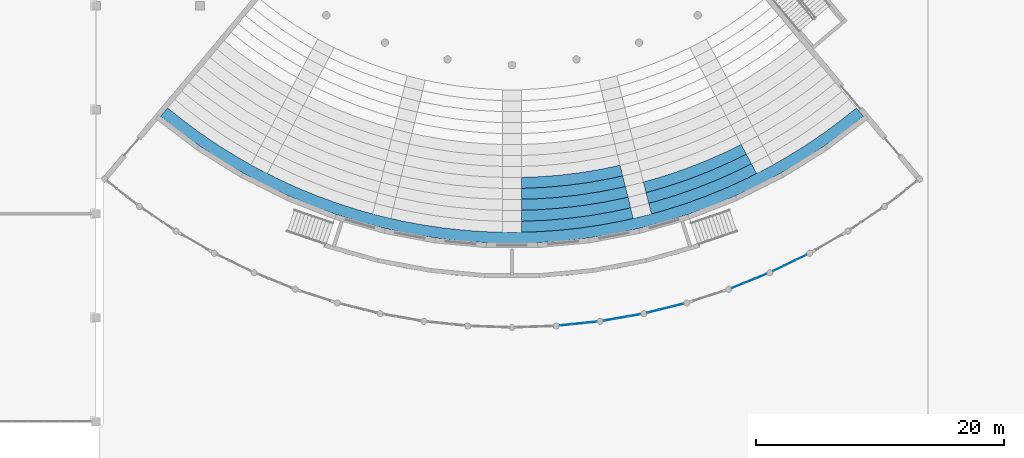
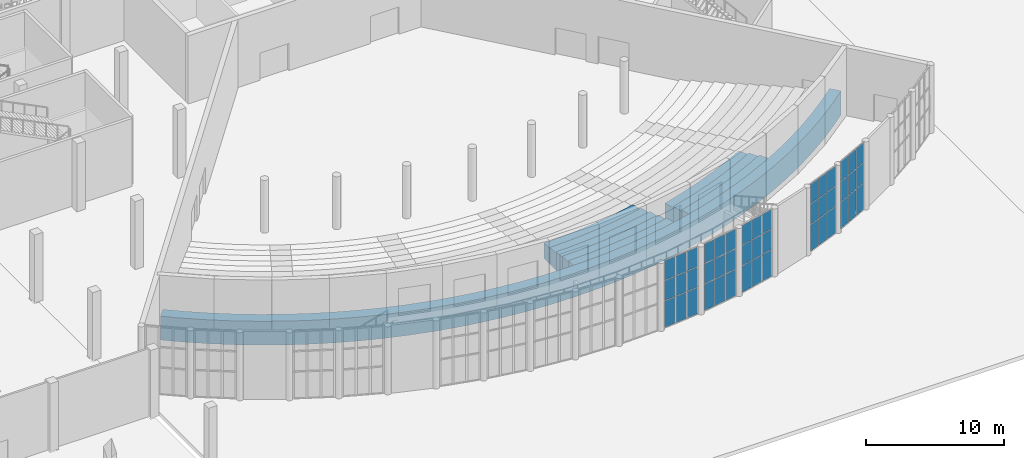
# One storey, part 87 of 210: 45 plates, 9 slabs, 5 elements without a shape of their own.
"""IFC4 building model written with IfcOpenShell, lengths in metres."""

from ifc_helpers import new_model, si_unit, direction, frame, origin, origin_2d, place, context, subcontext, project, spatial, polyline, rectangle, outline, extrude, material, layer, layer_set, type_object, element, aggregate, save


model = new_model("IFC4")

# Units and contexts
model_context = context("Model", 3, precision=1e-05, world=origin(), true_north=direction((0.0, 1.0)))
body_context = subcontext(model_context, "Body", "Model", "MODEL_VIEW")
ifc_project = project(units=[si_unit("LENGTHUNIT", "METRE"), si_unit("AREAUNIT", "SQUARE_METRE"), si_unit("VOLUMEUNIT", "CUBIC_METRE"), si_unit("PLANEANGLEUNIT", "RADIAN"), si_unit("MASSUNIT", "GRAM", prefix="KILO")], contexts=[model_context])

# Site, building, storey
site_placement = place(None, origin())
site = spatial("IfcSite", under=ifc_project, at=site_placement, CompositionType="ELEMENT")
building_placement = place(site_placement, origin())
building = spatial("IfcBuilding", under=site, at=building_placement, Name="Rain Tree Exposition and Congress Centre", CompositionType="ELEMENT")
storey_placement = place(building_placement, origin())
storey = spatial("IfcBuildingStorey", under=building, at=storey_placement, Name="L00", CompositionType="ELEMENT", Elevation=0.0)

# Curtain wall, plates
ifc_material_1 = material(Name="Aluminium", Category="aluminium")
ifc_layer_1 = layer(ifc_material_1, 0.10009765625)
ifc_layer_set_1 = layer_set([ifc_layer_1], Name="Aluminium")
curtain_wall_type = type_object("IfcCurtainWallType", Name="Curtain wall congress", PredefinedType="NOTDEFINED", material=ifc_layer_set_1)
curtain_wall_1_placement = place(storey_placement, origin())
curtain_wall_1 = element("IfcCurtainWall", 1, at=curtain_wall_1_placement, inside=storey, type_object=curtain_wall_type, Name="Curtain wall L00 bay 12", PredefinedType="NOTDEFINED")
ifc_material_2 = material(Name="Double glazed unit", Category="glass")
ifc_layer_2 = layer(ifc_material_2, 0.028076171875)
ifc_layer_set_2 = layer_set([ifc_layer_2], Name="Double glazed unit")
plate_type = type_object("IfcPlateType", Name="Glazing panel 28 congress", PredefinedType="CURTAIN_PANEL", material=ifc_layer_set_2)
plate_1_placement = place(storey_placement, frame((205.944580078125, 16.2060546875, 0.06005859375), z_axis=(0.0, 0.0, 1.0), x_axis=(0.994524689589, 0.104501874612, 0.0)))
plate_1 = element("IfcPlate", 2, at=plate_1_placement, type_object=plate_type, Name="CWG112 panel 1.1", PredefinedType="CURTAIN_PANEL", context=body_context, shape_type="SweptSolid", body=[
    extrude(rectangle(XDim=0.9345703125, YDim=0.028076171875, at=origin_2d()), origin(), (0.0, 0.0, 1.0), 2.31005859375),
])
plate_2_placement = place(storey_placement, frame((205.944580078125, 16.2060546875, 2.43017578125), z_axis=(0.0, 0.0, 1.0), x_axis=(0.994524689589, 0.104501874612, 0.0)))
plate_2 = element("IfcPlate", 3, at=plate_2_placement, type_object=plate_type, Name="CWG112 panel 1.2", PredefinedType="CURTAIN_PANEL", context=body_context, shape_type="SweptSolid", body=[
    extrude(rectangle(XDim=0.9345703125, YDim=0.028076171875, at=origin_2d()), origin(), (0.0, 0.0, 1.0), 1.739990234375),
])
plate_3_placement = place(storey_placement, frame((205.944580078125, 16.2060546875, 4.22998046875), z_axis=(0.0, 0.0, 1.0), x_axis=(0.994524689589, 0.104501874612, 0.0)))
plate_3 = element("IfcPlate", 4, at=plate_3_placement, type_object=plate_type, Name="CWG112 panel 1.3", PredefinedType="CURTAIN_PANEL", context=body_context, shape_type="SweptSolid", body=[
    extrude(rectangle(XDim=0.9345703125, YDim=0.028076171875, at=origin_2d()), origin(), (0.0, 0.0, 1.0), 1.7099609375),
])
plate_4_placement = place(storey_placement, frame((206.948486328125, 16.3115234375, 0.06005859375), z_axis=(0.0, 0.0, 1.0), x_axis=(0.994524689589, 0.104501874612, 0.0)))
plate_4 = element("IfcPlate", 5, at=plate_4_placement, type_object=plate_type, Name="CWG112 panel 2.1", PredefinedType="CURTAIN_PANEL", context=body_context, shape_type="SweptSolid", body=[
    extrude(rectangle(XDim=0.964599609375, YDim=0.028076171875, at=origin_2d()), origin(), (0.0, 0.0, 1.0), 2.31005859375),
])
plate_5_placement = place(storey_placement, frame((206.948486328125, 16.3115234375, 2.43017578125), z_axis=(0.0, 0.0, 1.0), x_axis=(0.994524689589, 0.104501874612, 0.0)))
plate_5 = element("IfcPlate", 6, at=plate_5_placement, type_object=plate_type, Name="CWG112 panel 2.2", PredefinedType="CURTAIN_PANEL", context=body_context, shape_type="SweptSolid", body=[
    extrude(rectangle(XDim=0.964599609375, YDim=0.028076171875, at=origin_2d()), origin(), (0.0, 0.0, 1.0), 1.739990234375),
])
plate_6_placement = place(storey_placement, frame((206.948486328125, 16.3115234375, 4.22998046875), z_axis=(0.0, 0.0, 1.0), x_axis=(0.994524689589, 0.104501874612, 0.0)))
plate_6 = element("IfcPlate", 7, at=plate_6_placement, type_object=plate_type, Name="CWG112 panel 2.3", PredefinedType="CURTAIN_PANEL", context=body_context, shape_type="SweptSolid", body=[
    extrude(rectangle(XDim=0.964599609375, YDim=0.028076171875, at=origin_2d()), origin(), (0.0, 0.0, 1.0), 1.7099609375),
])
plate_7_placement = place(storey_placement, frame((207.95263671875, 16.4169921875, 0.06005859375), z_axis=(0.0, 0.0, 1.0), x_axis=(0.994524689589, 0.104501874612, 0.0)))
plate_7 = element("IfcPlate", 8, at=plate_7_placement, type_object=plate_type, Name="CWG112 panel 3.1", PredefinedType="CURTAIN_PANEL", context=body_context, shape_type="SweptSolid", body=[
    extrude(rectangle(XDim=0.9345703125, YDim=0.028076171875, at=origin_2d()), origin(), (0.0, 0.0, 1.0), 2.31005859375),
])
plate_8_placement = place(storey_placement, frame((207.95263671875, 16.4169921875, 2.43017578125), z_axis=(0.0, 0.0, 1.0), x_axis=(0.994524689589, 0.104501874612, 0.0)))
plate_8 = element("IfcPlate", 9, at=plate_8_placement, type_object=plate_type, Name="CWG112 panel 3.2", PredefinedType="CURTAIN_PANEL", context=body_context, shape_type="SweptSolid", body=[
    extrude(rectangle(XDim=0.9345703125, YDim=0.028076171875, at=origin_2d()), origin(), (0.0, 0.0, 1.0), 1.739990234375),
])
plate_9_placement = place(storey_placement, frame((207.95263671875, 16.4169921875, 4.22998046875), z_axis=(0.0, 0.0, 1.0), x_axis=(0.994524689589, 0.104501874612, 0.0)))
plate_9 = element("IfcPlate", 10, at=plate_9_placement, type_object=plate_type, Name="CWG112 panel 3.3", PredefinedType="CURTAIN_PANEL", context=body_context, shape_type="SweptSolid", body=[
    extrude(rectangle(XDim=0.9345703125, YDim=0.028076171875, at=origin_2d()), origin(), (0.0, 0.0, 1.0), 1.7099609375),
])
aggregate(curtain_wall_1, [plate_1, plate_2, plate_3, plate_4, plate_5, plate_6, plate_7, plate_8, plate_9])

curtain_wall_2_placement = place(storey_placement, origin())
curtain_wall_2 = element("IfcCurtainWall", 11, at=curtain_wall_2_placement, inside=storey, type_object=curtain_wall_type, Name="Curtain wall L00 bay 13", PredefinedType="NOTDEFINED")
plate_10_placement = place(storey_placement, frame((209.4912109375, 16.63330078125, 0.06005859375), z_axis=(0.0, 0.0, 1.0), x_axis=(0.984810076905, 0.173634997701, 0.0)))
plate_10 = element("IfcPlate", 12, at=plate_10_placement, type_object=plate_type, Name="CWG113 panel 1.1", PredefinedType="CURTAIN_PANEL", context=body_context, shape_type="SweptSolid", body=[
    extrude(rectangle(XDim=0.9345703125, YDim=0.028076171875, at=origin_2d()), origin(), (0.0, 0.0, 1.0), 2.31005859375),
])
plate_11_placement = place(storey_placement, frame((209.4912109375, 16.63330078125, 2.43017578125), z_axis=(0.0, 0.0, 1.0), x_axis=(0.984810076905, 0.173634997701, 0.0)))
plate_11 = element("IfcPlate", 13, at=plate_11_placement, type_object=plate_type, Name="CWG113 panel 1.2", PredefinedType="CURTAIN_PANEL", context=body_context, shape_type="SweptSolid", body=[
    extrude(rectangle(XDim=0.9345703125, YDim=0.028076171875, at=origin_2d()), origin(), (0.0, 0.0, 1.0), 1.739990234375),
])
plate_12_placement = place(storey_placement, frame((209.4912109375, 16.63330078125, 4.22998046875), z_axis=(0.0, 0.0, 1.0), x_axis=(0.984810076905, 0.173634997701, 0.0)))
plate_12 = element("IfcPlate", 14, at=plate_12_placement, type_object=plate_type, Name="CWG113 panel 1.3", PredefinedType="CURTAIN_PANEL", context=body_context, shape_type="SweptSolid", body=[
    extrude(rectangle(XDim=0.9345703125, YDim=0.028076171875, at=origin_2d()), origin(), (0.0, 0.0, 1.0), 1.7099609375),
])
plate_13_placement = place(storey_placement, frame((210.4853515625, 16.80859375, 0.06005859375), z_axis=(0.0, 0.0, 1.0), x_axis=(0.984810076905, 0.173634997701, 0.0)))
plate_13 = element("IfcPlate", 15, at=plate_13_placement, type_object=plate_type, Name="CWG113 panel 2.1", PredefinedType="CURTAIN_PANEL", context=body_context, shape_type="SweptSolid", body=[
    extrude(rectangle(XDim=0.964599609375, YDim=0.028076171875, at=origin_2d()), origin(), (0.0, 0.0, 1.0), 2.31005859375),
])
plate_14_placement = place(storey_placement, frame((210.4853515625, 16.80859375, 2.43017578125), z_axis=(0.0, 0.0, 1.0), x_axis=(0.984810076905, 0.173634997701, 0.0)))
plate_14 = element("IfcPlate", 16, at=plate_14_placement, type_object=plate_type, Name="CWG113 panel 2.2", PredefinedType="CURTAIN_PANEL", context=body_context, shape_type="SweptSolid", body=[
    extrude(rectangle(XDim=0.964599609375, YDim=0.028076171875, at=origin_2d()), origin(), (0.0, 0.0, 1.0), 1.739990234375),
])
plate_15_placement = place(storey_placement, frame((210.4853515625, 16.80859375, 4.22998046875), z_axis=(0.0, 0.0, 1.0), x_axis=(0.984810076905, 0.173634997701, 0.0)))
plate_15 = element("IfcPlate", 17, at=plate_15_placement, type_object=plate_type, Name="CWG113 panel 2.3", PredefinedType="CURTAIN_PANEL", context=body_context, shape_type="SweptSolid", body=[
    extrude(rectangle(XDim=0.964599609375, YDim=0.028076171875, at=origin_2d()), origin(), (0.0, 0.0, 1.0), 1.7099609375),
])
plate_16_placement = place(storey_placement, frame((211.479736328125, 16.98388671875, 0.06005859375), z_axis=(0.0, 0.0, 1.0), x_axis=(0.984810076905, 0.173634997701, 0.0)))
plate_16 = element("IfcPlate", 18, at=plate_16_placement, type_object=plate_type, Name="CWG113 panel 3.1", PredefinedType="CURTAIN_PANEL", context=body_context, shape_type="SweptSolid", body=[
    extrude(rectangle(XDim=0.9345703125, YDim=0.028076171875, at=origin_2d()), origin(), (0.0, 0.0, 1.0), 2.31005859375),
])
plate_17_placement = place(storey_placement, frame((211.479736328125, 16.98388671875, 2.43017578125), z_axis=(0.0, 0.0, 1.0), x_axis=(0.984810076905, 0.173634997701, 0.0)))
plate_17 = element("IfcPlate", 19, at=plate_17_placement, type_object=plate_type, Name="CWG113 panel 3.2", PredefinedType="CURTAIN_PANEL", context=body_context, shape_type="SweptSolid", body=[
    extrude(rectangle(XDim=0.9345703125, YDim=0.028076171875, at=origin_2d()), origin(), (0.0, 0.0, 1.0), 1.739990234375),
])
plate_18_placement = place(storey_placement, frame((211.479736328125, 16.98388671875, 4.22998046875), z_axis=(0.0, 0.0, 1.0), x_axis=(0.984810076905, 0.173634997701, 0.0)))
plate_18 = element("IfcPlate", 20, at=plate_18_placement, type_object=plate_type, Name="CWG113 panel 3.3", PredefinedType="CURTAIN_PANEL", context=body_context, shape_type="SweptSolid", body=[
    extrude(rectangle(XDim=0.9345703125, YDim=0.028076171875, at=origin_2d()), origin(), (0.0, 0.0, 1.0), 1.7099609375),
])
aggregate(curtain_wall_2, [plate_10, plate_11, plate_12, plate_13, plate_14, plate_15, plate_16, plate_17, plate_18])

curtain_wall_3_placement = place(storey_placement, origin())
curtain_wall_3 = element("IfcCurtainWall", 21, at=curtain_wall_3_placement, inside=storey, type_object=curtain_wall_type, Name="Curtain wall L00 bay 14", PredefinedType="NOTDEFINED")
plate_19_placement = place(storey_placement, frame((212.999267578125, 17.306884765625, 0.06005859375), z_axis=(0.0, 0.0, 1.0), x_axis=(0.970295408249, 0.241923171133, 0.0)))
plate_19 = element("IfcPlate", 22, at=plate_19_placement, type_object=plate_type, Name="CWG114 panel 1.1", PredefinedType="CURTAIN_PANEL", context=body_context, shape_type="SweptSolid", body=[
    extrude(rectangle(XDim=0.9345703125, YDim=0.028076171875, at=origin_2d()), origin(), (0.0, 0.0, 1.0), 2.31005859375),
])
plate_20_placement = place(storey_placement, frame((212.999267578125, 17.306884765625, 2.43017578125), z_axis=(0.0, 0.0, 1.0), x_axis=(0.970295408249, 0.241923171133, 0.0)))
plate_20 = element("IfcPlate", 23, at=plate_20_placement, type_object=plate_type, Name="CWG114 panel 1.2", PredefinedType="CURTAIN_PANEL", context=body_context, shape_type="SweptSolid", body=[
    extrude(rectangle(XDim=0.9345703125, YDim=0.028076171875, at=origin_2d()), origin(), (0.0, 0.0, 1.0), 1.739990234375),
])
plate_21_placement = place(storey_placement, frame((212.999267578125, 17.306884765625, 4.22998046875), z_axis=(0.0, 0.0, 1.0), x_axis=(0.970295408249, 0.241923171133, 0.0)))
plate_21 = element("IfcPlate", 24, at=plate_21_placement, type_object=plate_type, Name="CWG114 panel 1.3", PredefinedType="CURTAIN_PANEL", context=body_context, shape_type="SweptSolid", body=[
    extrude(rectangle(XDim=0.9345703125, YDim=0.028076171875, at=origin_2d()), origin(), (0.0, 0.0, 1.0), 1.7099609375),
])
plate_22_placement = place(storey_placement, frame((213.97900390625, 17.551025390625, 0.06005859375), z_axis=(0.0, 0.0, 1.0), x_axis=(0.970295408249, 0.241923171133, 0.0)))
plate_22 = element("IfcPlate", 25, at=plate_22_placement, type_object=plate_type, Name="CWG114 panel 2.1", PredefinedType="CURTAIN_PANEL", context=body_context, shape_type="SweptSolid", body=[
    extrude(rectangle(XDim=0.964599609375, YDim=0.028076171875, at=origin_2d()), origin(), (0.0, 0.0, 1.0), 2.31005859375),
])
plate_23_placement = place(storey_placement, frame((213.97900390625, 17.551025390625, 2.43017578125), z_axis=(0.0, 0.0, 1.0), x_axis=(0.970295408249, 0.241923171133, 0.0)))
plate_23 = element("IfcPlate", 26, at=plate_23_placement, type_object=plate_type, Name="CWG114 panel 2.2", PredefinedType="CURTAIN_PANEL", context=body_context, shape_type="SweptSolid", body=[
    extrude(rectangle(XDim=0.964599609375, YDim=0.028076171875, at=origin_2d()), origin(), (0.0, 0.0, 1.0), 1.739990234375),
])
plate_24_placement = place(storey_placement, frame((213.97900390625, 17.551025390625, 4.22998046875), z_axis=(0.0, 0.0, 1.0), x_axis=(0.970295408249, 0.241923171133, 0.0)))
plate_24 = element("IfcPlate", 27, at=plate_24_placement, type_object=plate_type, Name="CWG114 panel 2.3", PredefinedType="CURTAIN_PANEL", context=body_context, shape_type="SweptSolid", body=[
    extrude(rectangle(XDim=0.964599609375, YDim=0.028076171875, at=origin_2d()), origin(), (0.0, 0.0, 1.0), 1.7099609375),
])
plate_25_placement = place(storey_placement, frame((214.95849609375, 17.79541015625, 0.06005859375), z_axis=(0.0, 0.0, 1.0), x_axis=(0.970295408249, 0.241923171133, 0.0)))
plate_25 = element("IfcPlate", 28, at=plate_25_placement, type_object=plate_type, Name="CWG114 panel 3.1", PredefinedType="CURTAIN_PANEL", context=body_context, shape_type="SweptSolid", body=[
    extrude(rectangle(XDim=0.9345703125, YDim=0.028076171875, at=origin_2d()), origin(), (0.0, 0.0, 1.0), 2.31005859375),
])
plate_26_placement = place(storey_placement, frame((214.95849609375, 17.79541015625, 2.43017578125), z_axis=(0.0, 0.0, 1.0), x_axis=(0.970295408249, 0.241923171133, 0.0)))
plate_26 = element("IfcPlate", 29, at=plate_26_placement, type_object=plate_type, Name="CWG114 panel 3.2", PredefinedType="CURTAIN_PANEL", context=body_context, shape_type="SweptSolid", body=[
    extrude(rectangle(XDim=0.9345703125, YDim=0.028076171875, at=origin_2d()), origin(), (0.0, 0.0, 1.0), 1.739990234375),
])
plate_27_placement = place(storey_placement, frame((214.95849609375, 17.79541015625, 4.22998046875), z_axis=(0.0, 0.0, 1.0), x_axis=(0.970295408249, 0.241923171133, 0.0)))
plate_27 = element("IfcPlate", 30, at=plate_27_placement, type_object=plate_type, Name="CWG114 panel 3.3", PredefinedType="CURTAIN_PANEL", context=body_context, shape_type="SweptSolid", body=[
    extrude(rectangle(XDim=0.9345703125, YDim=0.028076171875, at=origin_2d()), origin(), (0.0, 0.0, 1.0), 1.7099609375),
])
aggregate(curtain_wall_3, [plate_19, plate_20, plate_21, plate_22, plate_23, plate_24, plate_25, plate_26, plate_27])

curtain_wall_4_placement = place(storey_placement, origin())
curtain_wall_4 = element("IfcCurtainWall", 31, at=curtain_wall_4_placement, inside=storey, type_object=curtain_wall_type, Name="Curtain wall L00 bay 16", PredefinedType="NOTDEFINED")
plate_28_placement = place(storey_placement, frame((219.83203125, 19.37890625, 0.06005859375), z_axis=(0.0, 0.0, 1.0), x_axis=(0.92718773506, 0.374596988714, 0.0)))
plate_28 = element("IfcPlate", 32, at=plate_28_placement, type_object=plate_type, Name="CWG116 panel 1.1", PredefinedType="CURTAIN_PANEL", context=body_context, shape_type="SweptSolid", body=[
    extrude(rectangle(XDim=0.9345703125, YDim=0.028076171875, at=origin_2d()), origin(), (0.0, 0.0, 1.0), 2.31005859375),
])
plate_29_placement = place(storey_placement, frame((219.83203125, 19.37890625, 2.43017578125), z_axis=(0.0, 0.0, 1.0), x_axis=(0.92718773506, 0.374596988714, 0.0)))
plate_29 = element("IfcPlate", 33, at=plate_29_placement, type_object=plate_type, Name="CWG116 panel 1.2", PredefinedType="CURTAIN_PANEL", context=body_context, shape_type="SweptSolid", body=[
    extrude(rectangle(XDim=0.9345703125, YDim=0.028076171875, at=origin_2d()), origin(), (0.0, 0.0, 1.0), 1.739990234375),
])
plate_30_placement = place(storey_placement, frame((219.83203125, 19.37890625, 4.22998046875), z_axis=(0.0, 0.0, 1.0), x_axis=(0.92718773506, 0.374596988714, 0.0)))
plate_30 = element("IfcPlate", 34, at=plate_30_placement, type_object=plate_type, Name="CWG116 panel 1.3", PredefinedType="CURTAIN_PANEL", context=body_context, shape_type="SweptSolid", body=[
    extrude(rectangle(XDim=0.9345703125, YDim=0.028076171875, at=origin_2d()), origin(), (0.0, 0.0, 1.0), 1.7099609375),
])
plate_31_placement = place(storey_placement, frame((220.76806640625, 19.757080078125, 0.06005859375), z_axis=(0.0, 0.0, 1.0), x_axis=(0.92718773506, 0.374596988714, 0.0)))
plate_31 = element("IfcPlate", 35, at=plate_31_placement, type_object=plate_type, Name="CWG116 panel 2.1", PredefinedType="CURTAIN_PANEL", context=body_context, shape_type="SweptSolid", body=[
    extrude(rectangle(XDim=0.964599609375, YDim=0.028076171875, at=origin_2d()), origin(), (0.0, 0.0, 1.0), 2.31005859375),
])
plate_32_placement = place(storey_placement, frame((220.76806640625, 19.757080078125, 2.43017578125), z_axis=(0.0, 0.0, 1.0), x_axis=(0.92718773506, 0.374596988714, 0.0)))
plate_32 = element("IfcPlate", 36, at=plate_32_placement, type_object=plate_type, Name="CWG116 panel 2.2", PredefinedType="CURTAIN_PANEL", context=body_context, shape_type="SweptSolid", body=[
    extrude(rectangle(XDim=0.964599609375, YDim=0.028076171875, at=origin_2d()), origin(), (0.0, 0.0, 1.0), 1.739990234375),
])
plate_33_placement = place(storey_placement, frame((220.76806640625, 19.757080078125, 4.22998046875), z_axis=(0.0, 0.0, 1.0), x_axis=(0.92718773506, 0.374596988714, 0.0)))
plate_33 = element("IfcPlate", 37, at=plate_33_placement, type_object=plate_type, Name="CWG116 panel 2.3", PredefinedType="CURTAIN_PANEL", context=body_context, shape_type="SweptSolid", body=[
    extrude(rectangle(XDim=0.964599609375, YDim=0.028076171875, at=origin_2d()), origin(), (0.0, 0.0, 1.0), 1.7099609375),
])
plate_34_placement = place(storey_placement, frame((221.7041015625, 20.13525390625, 0.06005859375), z_axis=(0.0, 0.0, 1.0), x_axis=(0.92718773506, 0.374596988714, 0.0)))
plate_34 = element("IfcPlate", 38, at=plate_34_placement, type_object=plate_type, Name="CWG116 panel 3.1", PredefinedType="CURTAIN_PANEL", context=body_context, shape_type="SweptSolid", body=[
    extrude(rectangle(XDim=0.9345703125, YDim=0.028076171875, at=origin_2d()), origin(), (0.0, 0.0, 1.0), 2.31005859375),
])
plate_35_placement = place(storey_placement, frame((221.7041015625, 20.13525390625, 2.43017578125), z_axis=(0.0, 0.0, 1.0), x_axis=(0.92718773506, 0.374596988714, 0.0)))
plate_35 = element("IfcPlate", 39, at=plate_35_placement, type_object=plate_type, Name="CWG116 panel 3.2", PredefinedType="CURTAIN_PANEL", context=body_context, shape_type="SweptSolid", body=[
    extrude(rectangle(XDim=0.9345703125, YDim=0.028076171875, at=origin_2d()), origin(), (0.0, 0.0, 1.0), 1.739990234375),
])
plate_36_placement = place(storey_placement, frame((221.7041015625, 20.13525390625, 4.22998046875), z_axis=(0.0, 0.0, 1.0), x_axis=(0.92718773506, 0.374596988714, 0.0)))
plate_36 = element("IfcPlate", 40, at=plate_36_placement, type_object=plate_type, Name="CWG116 panel 3.3", PredefinedType="CURTAIN_PANEL", context=body_context, shape_type="SweptSolid", body=[
    extrude(rectangle(XDim=0.9345703125, YDim=0.028076171875, at=origin_2d()), origin(), (0.0, 0.0, 1.0), 1.7099609375),
])
aggregate(curtain_wall_4, [plate_28, plate_29, plate_30, plate_31, plate_32, plate_33, plate_34, plate_35, plate_36])

curtain_wall_5_placement = place(storey_placement, origin())
curtain_wall_5 = element("IfcCurtainWall", 41, at=curtain_wall_5_placement, inside=storey, type_object=curtain_wall_type, Name="Curtain wall L00 bay 17", PredefinedType="NOTDEFINED")
plate_37_placement = place(storey_placement, frame((223.12353515625, 20.767333984375, 0.06005859375), z_axis=(0.0, 0.0, 1.0), x_axis=(0.898795334475, 0.438368505628, 0.0)))
plate_37 = element("IfcPlate", 42, at=plate_37_placement, type_object=plate_type, Name="CWG117 panel 1.1", PredefinedType="CURTAIN_PANEL", context=body_context, shape_type="SweptSolid", body=[
    extrude(rectangle(XDim=0.9345703125, YDim=0.028076171875, at=origin_2d()), origin(), (0.0, 0.0, 1.0), 2.31005859375),
])
plate_38_placement = place(storey_placement, frame((223.12353515625, 20.767333984375, 2.43017578125), z_axis=(0.0, 0.0, 1.0), x_axis=(0.898795334475, 0.438368505628, 0.0)))
plate_38 = element("IfcPlate", 43, at=plate_38_placement, type_object=plate_type, Name="CWG117 panel 1.2", PredefinedType="CURTAIN_PANEL", context=body_context, shape_type="SweptSolid", body=[
    extrude(rectangle(XDim=0.9345703125, YDim=0.028076171875, at=origin_2d()), origin(), (0.0, 0.0, 1.0), 1.739990234375),
])
plate_39_placement = place(storey_placement, frame((223.12353515625, 20.767333984375, 4.22998046875), z_axis=(0.0, 0.0, 1.0), x_axis=(0.898795334475, 0.438368505628, 0.0)))
plate_39 = element("IfcPlate", 44, at=plate_39_placement, type_object=plate_type, Name="CWG117 panel 1.3", PredefinedType="CURTAIN_PANEL", context=body_context, shape_type="SweptSolid", body=[
    extrude(rectangle(XDim=0.9345703125, YDim=0.028076171875, at=origin_2d()), origin(), (0.0, 0.0, 1.0), 1.7099609375),
])
plate_40_placement = place(storey_placement, frame((224.031005859375, 21.209716796875, 0.06005859375), z_axis=(0.0, 0.0, 1.0), x_axis=(0.898795334475, 0.438368505628, 0.0)))
plate_40 = element("IfcPlate", 45, at=plate_40_placement, type_object=plate_type, Name="CWG117 panel 2.1", PredefinedType="CURTAIN_PANEL", context=body_context, shape_type="SweptSolid", body=[
    extrude(rectangle(XDim=0.964599609375, YDim=0.028076171875, at=origin_2d()), origin(), (0.0, 0.0, 1.0), 2.31005859375),
])
plate_41_placement = place(storey_placement, frame((224.031005859375, 21.209716796875, 2.43017578125), z_axis=(0.0, 0.0, 1.0), x_axis=(0.898795334475, 0.438368505628, 0.0)))
plate_41 = element("IfcPlate", 46, at=plate_41_placement, type_object=plate_type, Name="CWG117 panel 2.2", PredefinedType="CURTAIN_PANEL", context=body_context, shape_type="SweptSolid", body=[
    extrude(rectangle(XDim=0.964599609375, YDim=0.028076171875, at=origin_2d()), origin(), (0.0, 0.0, 1.0), 1.739990234375),
])
plate_42_placement = place(storey_placement, frame((224.031005859375, 21.209716796875, 4.22998046875), z_axis=(0.0, 0.0, 1.0), x_axis=(0.898795334475, 0.438368505628, 0.0)))
plate_42 = element("IfcPlate", 47, at=plate_42_placement, type_object=plate_type, Name="CWG117 panel 2.3", PredefinedType="CURTAIN_PANEL", context=body_context, shape_type="SweptSolid", body=[
    extrude(rectangle(XDim=0.964599609375, YDim=0.028076171875, at=origin_2d()), origin(), (0.0, 0.0, 1.0), 1.7099609375),
])
plate_43_placement = place(storey_placement, frame((224.938232421875, 21.65234375, 0.06005859375), z_axis=(0.0, 0.0, 1.0), x_axis=(0.898795334475, 0.438368505628, 0.0)))
plate_43 = element("IfcPlate", 48, at=plate_43_placement, type_object=plate_type, Name="CWG117 panel 3.1", PredefinedType="CURTAIN_PANEL", context=body_context, shape_type="SweptSolid", body=[
    extrude(rectangle(XDim=0.9345703125, YDim=0.028076171875, at=origin_2d()), origin(), (0.0, 0.0, 1.0), 2.31005859375),
])
plate_44_placement = place(storey_placement, frame((224.938232421875, 21.65234375, 2.43017578125), z_axis=(0.0, 0.0, 1.0), x_axis=(0.898795334475, 0.438368505628, 0.0)))
plate_44 = element("IfcPlate", 49, at=plate_44_placement, type_object=plate_type, Name="CWG117 panel 3.2", PredefinedType="CURTAIN_PANEL", context=body_context, shape_type="SweptSolid", body=[
    extrude(rectangle(XDim=0.9345703125, YDim=0.028076171875, at=origin_2d()), origin(), (0.0, 0.0, 1.0), 1.739990234375),
])
plate_45_placement = place(storey_placement, frame((224.938232421875, 21.65234375, 4.22998046875), z_axis=(0.0, 0.0, 1.0), x_axis=(0.898795334475, 0.438368505628, 0.0)))
plate_45 = element("IfcPlate", 50, at=plate_45_placement, type_object=plate_type, Name="CWG117 panel 3.3", PredefinedType="CURTAIN_PANEL", context=body_context, shape_type="SweptSolid", body=[
    extrude(rectangle(XDim=0.9345703125, YDim=0.028076171875, at=origin_2d()), origin(), (0.0, 0.0, 1.0), 1.7099609375),
])
aggregate(curtain_wall_5, [plate_37, plate_38, plate_39, plate_40, plate_41, plate_42, plate_43, plate_44, plate_45])

# Slabs
ifc_material_3 = material(Name="Precast concrete C50/60", Category="concrete")
ifc_layer_3 = layer(ifc_material_3, 0.300048828125)
ifc_layer_set_3 = layer_set([ifc_layer_3], Name="Precast concrete C50/60")
slab_type = type_object("IfcSlabType", Name="Terrace step slab 300", PredefinedType="FLOOR", material=ifc_layer_set_3)
slab_1_placement = place(storey_placement, origin())
element("IfcSlab", 51, at=slab_1_placement, inside=storey, type_object=slab_type, Name="Stalls tier row 9", ObjectType="SEATING TIER", PredefinedType="USERDEFINED", context=body_context, shape_type="SweptSolid", body=[
    extrude(outline(polyline([(209.646240234375, 28.046875), (210.5380859375, 28.251220703125), (210.32470703125, 29.1064453125), (208.834716796875, 28.789794921875), (207.039794921875, 28.49462890625), (205.23291015625, 28.283447265625), (203.41845703125, 28.156494140625), (202.35009765625, 28.131591796875), (202.35009765625, 27.23876953125), (202.5, 27.23876953125), (204.298583984375, 27.31982421875), (206.09130859375, 27.481689453125), (207.875, 27.72412109375), (209.646240234375, 28.046875)])), origin(), (0.0, 0.0, 1.0), 1.35009765625),
])
slab_2_placement = place(storey_placement, origin())
element("IfcSlab", 52, at=slab_2_placement, inside=storey, type_object=slab_type, Name="Stalls tier row 10", ObjectType="SEATING TIER", PredefinedType="USERDEFINED", context=body_context, shape_type="SweptSolid", body=[
    extrude(outline(polyline([(210.443115234375, 27.311279296875), (210.75341796875, 27.38720703125), (210.5380859375, 28.251220703125), (209.646240234375, 28.046875), (207.875, 27.72412109375), (206.09130859375, 27.481689453125), (204.298583984375, 27.31982421875), (202.5, 27.23876953125), (202.35009765625, 27.23876953125), (202.35009765625, 26.359130859375), (203.382080078125, 26.381591796875), (205.160888671875, 26.498291015625), (206.932861328125, 26.6923828125), (208.69482421875, 26.963623046875), (210.443115234375, 27.311279296875)])), origin(), (0.0, 0.0, 1.0), 1.5),
])
slab_3_placement = place(storey_placement, origin())
element("IfcSlab", 53, at=slab_3_placement, inside=storey, type_object=slab_type, Name="Stalls tier row 11", ObjectType="SEATING TIER", PredefinedType="USERDEFINED", context=body_context, shape_type="SweptSolid", body=[
    extrude(outline(polyline([(210.634765625, 26.446533203125), (210.9677734375, 26.528076171875), (210.75341796875, 27.38720703125), (210.443115234375, 27.311279296875), (208.69482421875, 26.963623046875), (206.932861328125, 26.6923828125), (205.160888671875, 26.498291015625), (203.382080078125, 26.381591796875), (202.35009765625, 26.359130859375), (202.35009765625, 25.473388671875), (203.4208984375, 25.496826171875), (205.238037109375, 25.615966796875), (207.048583984375, 25.814208984375), (208.8486328125, 26.09130859375), (210.634765625, 26.446533203125)])), origin(), (0.0, 0.0, 1.0), 1.64990234375),
])
slab_4_placement = place(storey_placement, origin())
element("IfcSlab", 54, at=slab_4_placement, inside=storey, type_object=slab_type, Name="Stalls tier row 11", ObjectType="SEATING TIER", PredefinedType="USERDEFINED", context=body_context, shape_type="SweptSolid", body=[
    extrude(outline(polyline([(219.2412109375, 29.3681640625), (220.528564453125, 30.0029296875), (220.11279296875, 30.78515625), (218.866943359375, 30.1708984375), (217.2353515625, 29.452880859375), (215.573974609375, 28.806884765625), (213.885986328125, 28.23388671875), (212.210205078125, 27.745361328125), (212.424560546875, 26.885498046875), (214.15234375, 27.38916015625), (215.876953125, 27.974609375), (217.57421875, 28.634521484375), (219.2412109375, 29.3681640625)])), origin(), (0.0, 0.0, 1.0), 1.64990234375),
])
slab_5_placement = place(storey_placement, origin())
element("IfcSlab", 55, at=slab_5_placement, inside=storey, type_object=slab_type, Name="Stalls tier row 12", ObjectType="SEATING TIER", PredefinedType="USERDEFINED", context=body_context, shape_type="SweptSolid", body=[
    extrude(outline(polyline([(209.66748046875, 25.341796875), (211.182373046875, 25.6669921875), (210.9677734375, 26.528076171875), (210.634765625, 26.446533203125), (208.8486328125, 26.09130859375), (207.048583984375, 25.814208984375), (205.238037109375, 25.615966796875), (203.4208984375, 25.496826171875), (202.35009765625, 25.473388671875), (202.35009765625, 24.5810546875), (202.501708984375, 24.5810546875), (204.3037109375, 24.6572265625), (206.1005859375, 24.809814453125), (207.889892578125, 25.0380859375), (209.66748046875, 25.341796875)])), origin(), (0.0, 0.0, 1.0), 1.800048828125),
])
slab_6_placement = place(storey_placement, origin())
element("IfcSlab", 56, at=slab_6_placement, inside=storey, type_object=slab_type, Name="Stalls tier row 12", ObjectType="SEATING TIER", PredefinedType="USERDEFINED", context=body_context, shape_type="SweptSolid", body=[
    extrude(outline(polyline([(219.92138671875, 28.70947265625), (220.943359375, 29.222900390625), (220.528564453125, 30.0029296875), (219.2412109375, 29.3681640625), (217.57421875, 28.634521484375), (215.876953125, 27.974609375), (214.15234375, 27.38916015625), (212.424560546875, 26.885498046875), (212.636962890625, 26.033447265625), (213.176513671875, 26.17333984375), (214.901611328125, 26.69970703125), (216.602783203125, 27.298583984375), (218.277099609375, 27.968994140625), (219.92138671875, 28.70947265625)])), origin(), (0.0, 0.0, 1.0), 1.800048828125),
])
slab_7_placement = place(storey_placement, origin())
element("IfcSlab", 57, at=slab_7_placement, inside=storey, type_object=slab_type, Name="Stalls tier row 13", ObjectType="SEATING TIER", PredefinedType="USERDEFINED", context=body_context, shape_type="SweptSolid", body=[
    extrude(outline(polyline([(210.472412109375, 24.599853515625), (211.3955078125, 24.81201171875), (211.182373046875, 25.6669921875), (209.66748046875, 25.341796875), (207.889892578125, 25.0380859375), (206.1005859375, 24.809814453125), (204.3037109375, 24.6572265625), (202.501708984375, 24.5810546875), (202.35009765625, 24.5810546875), (202.35009765625, 23.701171875), (203.386474609375, 23.722412109375), (205.169921875, 23.83251953125), (206.947509765625, 24.015380859375), (208.7158203125, 24.271484375), (210.472412109375, 24.599853515625)])), origin(), (0.0, 0.0, 1.0), 1.949951171875),
])
slab_8_placement = place(storey_placement, origin())
element("IfcSlab", 58, at=slab_8_placement, inside=storey, type_object=slab_type, Name="Stalls tier row 13", ObjectType="SEATING TIER", PredefinedType="USERDEFINED", context=body_context, shape_type="SweptSolid", body=[
    extrude(outline(polyline([(220.59521484375, 28.050537109375), (221.359130859375, 28.44091796875), (220.943359375, 29.222900390625), (219.92138671875, 28.70947265625), (218.277099609375, 27.968994140625), (216.602783203125, 27.298583984375), (214.901611328125, 26.69970703125), (213.176513671875, 26.17333984375), (212.636962890625, 26.033447265625), (212.85107421875, 25.17431640625), (213.937255859375, 25.47119140625), (215.64013671875, 26.012939453125), (217.319091796875, 26.6240234375), (218.9716796875, 27.3037109375), (220.59521484375, 28.050537109375)])), origin(), (0.0, 0.0, 1.0), 1.949951171875),
])
slab_9_placement = place(storey_placement, origin())
element("IfcSlab", 59, at=slab_9_placement, inside=storey, type_object=slab_type, Name="Stalls tier row 14", ObjectType="SEATING TIER", PredefinedType="USERDEFINED", context=body_context, shape_type="SweptSolid", body=[
    extrude(outline(polyline([(228.71923828125, 32.044677734375), (229.98388671875, 33.062255859375), (229.41455078125, 33.74072265625), (228.17822265625, 32.745849609375), (226.741455078125, 31.683837890625), (225.26220703125, 30.681396484375), (223.742919921875, 29.740966796875), (222.186279296875, 28.86328125), (220.59521484375, 28.050537109375), (218.9716796875, 27.3037109375), (217.319091796875, 26.6240234375), (215.64013671875, 26.012939453125), (213.937255859375, 25.47119140625), (212.213623046875, 25.0), (210.472412109375, 24.599853515625), (208.7158203125, 24.271484375), (206.947509765625, 24.015380859375), (205.169921875, 23.83251953125), (203.386474609375, 23.722412109375), (201.60009765625, 23.685791015625), (199.8134765625, 23.722412109375), (198.030029296875, 23.83251953125), (196.252685546875, 24.015380859375), (194.484130859375, 24.271484375), (192.727783203125, 24.599853515625), (190.986328125, 25.0), (189.2626953125, 25.47119140625), (187.559814453125, 26.012939453125), (185.880859375, 26.6240234375), (184.228271484375, 27.3037109375), (182.60498046875, 28.050537109375), (181.013671875, 28.86328125), (179.45703125, 29.740966796875), (177.93798828125, 30.681396484375), (176.45849609375, 31.683837890625), (175.021728515625, 32.745849609375), (173.785400390625, 33.74072265625), (173.216064453125, 33.062255859375), (174.480712890625, 32.044677734375), (175.94677734375, 30.9609375), (177.456298828125, 29.938232421875), (179.00634765625, 28.978515625), (180.594482421875, 28.0830078125), (182.21826171875, 27.253662109375), (183.87451171875, 26.49169921875), (185.560791015625, 25.798095703125), (187.274169921875, 25.1748046875), (189.01171875, 24.621826171875), (190.770263671875, 24.14111328125), (192.547119140625, 23.732666015625), (194.33935546875, 23.397705078125), (196.143798828125, 23.136474609375), (197.95751953125, 22.94970703125), (199.777099609375, 22.83740234375), (201.60009765625, 22.800048828125), (203.4228515625, 22.83740234375), (205.24267578125, 22.94970703125), (207.05615234375, 23.136474609375), (208.860595703125, 23.397705078125), (210.65283203125, 23.732666015625), (212.4296875, 24.14111328125), (214.1884765625, 24.621826171875), (215.92578125, 25.1748046875), (217.63916015625, 25.798095703125), (219.325439453125, 26.49169921875), (220.981689453125, 27.253662109375), (222.60546875, 28.0830078125), (224.193603515625, 28.978515625), (225.74365234375, 29.938232421875), (227.253173828125, 30.9609375), (228.71923828125, 32.044677734375)])), origin(), (0.0, 0.0, 1.0), 2.10009765625),
])

save(model, "model.ifc")
